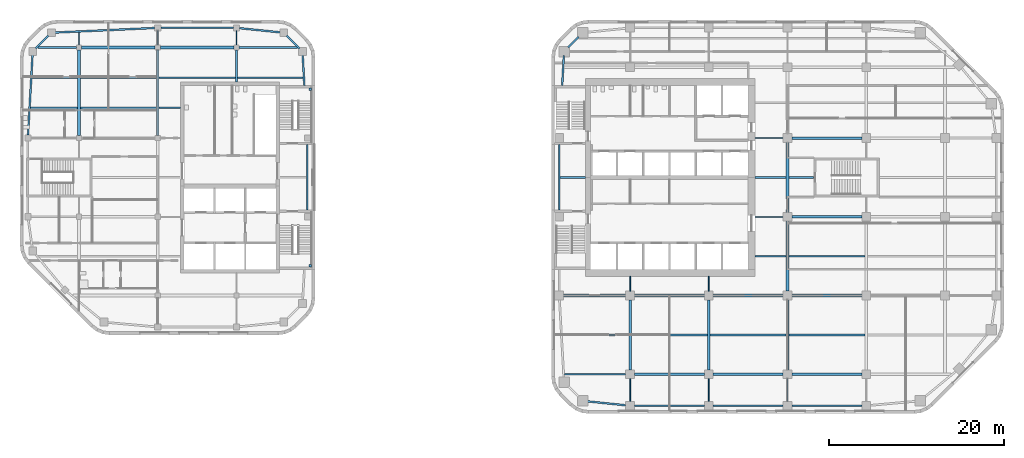
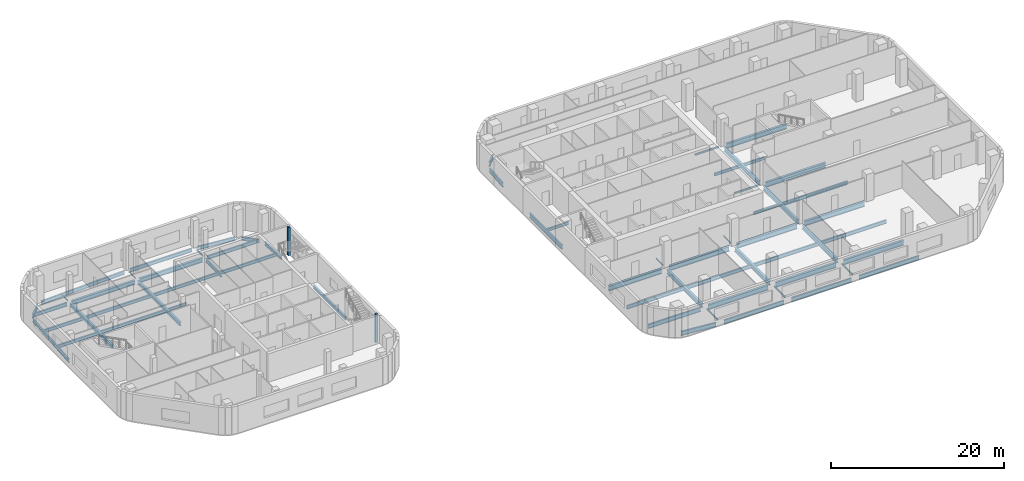
# One storey, part 2 of 14: 63 beams, 2 members.
"""IFC4 building model written with IfcOpenShell, lengths in metres."""

from ifc_helpers import new_model, si_unit, direction, frame, origin, origin_2d, place, context, subcontext, project, spatial, rectangle, i_section, extrude, material, material_profile, profile_set, type_object, element, save


model = new_model("IFC4")

# Units and contexts
model_context = context("Model", 3, precision=1e-05, world=origin(), true_north=direction((0.0, 1.0)))
body_context = subcontext(model_context, "Body", "Model", "MODEL_VIEW")
ifc_project = project(units=[si_unit("LENGTHUNIT", "METRE"), si_unit("AREAUNIT", "SQUARE_METRE"), si_unit("VOLUMEUNIT", "CUBIC_METRE"), si_unit("PLANEANGLEUNIT", "RADIAN"), si_unit("MASSUNIT", "GRAM", prefix="KILO")], contexts=[model_context])

# Site, building, storey
site_placement = place(None, origin())
site = spatial("IfcSite", under=ifc_project, at=site_placement, CompositionType="ELEMENT")
building_placement = place(site_placement, origin())
building = spatial("IfcBuilding", under=site, at=building_placement, Name="Cinnabar Reach Civic Tower", CompositionType="ELEMENT")
storey_placement = place(building_placement, frame((0.0, 0.0, 112.0)))
storey = spatial("IfcBuildingStorey", under=building, at=storey_placement, Name="L26", CompositionType="ELEMENT", Elevation=112.0)

# Beams
ifc_material_1 = material(Name="Steel Q355B", Category="steel")
ifc_material_profile_1 = material_profile(ifc_material_1, i_section(OverallWidth=0.3, OverallDepth=0.488, WebThickness=0.011, FlangeThickness=0.018, FilletRadius=0.016, at=origin_2d()), Name="HM488x300x11x18")
ifc_profile_set_1 = profile_set([ifc_material_profile_1], Name="Steel Q355B")
beam_type_1 = type_object("IfcBeamType", Name="HM488x300x11x18 beam R 120", PredefinedType="BEAM", material=ifc_profile_set_1)
for number, where, z_axis, x_axis, name in (
    (1, (-54.0, 36.302, -0.394), (0.0, 1.0, 0.0), (-1.0, 0.0, 0.0), "Girder T2 L26 4"),
    (2, (-45.0, 36.302, -0.394), (0.0, 1.0, 0.0), (-1.0, 0.0, 0.0), "Girder T2 L26 9"),
):
    element("IfcBeam", number, at=place(storey_placement, frame(where, z_axis=z_axis, x_axis=x_axis)), inside=storey, type_object=beam_type_1, Name=name, PredefinedType="BEAM", context=body_context, shape_type="SweptSolid", body=[
        extrude(i_section(OverallWidth=0.3, OverallDepth=0.488, WebThickness=0.011, FlangeThickness=0.018, FilletRadius=0.016, at=origin_2d()), origin(), (0.0, 0.0, 1.0), 9.746),
    ])
ifc_material_profile_2 = material_profile(ifc_material_1, i_section(OverallWidth=0.3, OverallDepth=0.588, WebThickness=0.012, FlangeThickness=0.02, FilletRadius=0.016, at=origin_2d()), Name="HM588x300x12x20")
ifc_profile_set_2 = profile_set([ifc_material_profile_2], Name="Steel Q355B")
beam_type_2 = type_object("IfcBeamType", Name="HM588x300x12x20 beam R 120", PredefinedType="BEAM", material=ifc_profile_set_2)
for number, where, z_axis, x_axis, name in (
    (3, (-53.698, 46.35, -0.444), (1.0, 0.0, 0.0), (0.0, 1.0, 0.0), "Girder T2 L26 11"),
    (4, (-44.698, 46.35, -0.444), (1.0, 0.0, 0.0), (0.0, 1.0, 0.0), "Girder T2 L26 12"),
):
    element("IfcBeam", number, at=place(storey_placement, frame(where, z_axis=z_axis, x_axis=x_axis)), inside=storey, type_object=beam_type_2, Name=name, PredefinedType="BEAM", context=body_context, shape_type="SweptSolid", body=[
        extrude(i_section(OverallWidth=0.3, OverallDepth=0.588, WebThickness=0.012, FlangeThickness=0.02, FilletRadius=0.016, at=origin_2d()), origin(), (0.0, 0.0, 1.0), 8.396),
    ])
ifc_material_profile_3 = material_profile(ifc_material_1, i_section(OverallWidth=0.302, OverallDepth=0.594, WebThickness=0.014, FlangeThickness=0.023, FilletRadius=0.016, at=origin_2d()), Name="HM594x302x14x23")
ifc_profile_set_3 = profile_set([ifc_material_profile_3], Name="Steel Q355B")
beam_type_3 = type_object("IfcBeamType", Name="HM594x302x14x23 beam R 180", PredefinedType="BEAM", material=ifc_profile_set_3)
for number, where, z_axis, x_axis, name in (
    (5, (9.0, 9.502, -0.447), (0.0, 1.0, 0.0), (-1.0, 0.0, 0.0), "Girder T1 L26 2"),
    (6, (18.0, 9.502, -0.447), (0.0, 1.0, 0.0), (-1.0, 0.0, 0.0), "Girder T1 L26 6"),
    (7, (27.0, 9.502, -0.447), (0.0, 1.0, 0.0), (-1.0, 0.0, 0.0), "Girder T1 L26 10"),
    (8, (27.0, 18.502, -0.447), (0.0, 1.0, 0.0), (-1.0, 0.0, 0.0), "Girder T1 L26 11"),
    (9, (27.0, 27.502, -0.447), (0.0, 1.0, 0.0), (-1.0, 0.0, 0.0), "Girder T1 L26 12"),
):
    element("IfcBeam", number, at=place(storey_placement, frame(where, z_axis=z_axis, x_axis=x_axis)), inside=storey, type_object=beam_type_3, Name=name, PredefinedType="BEAM", context=body_context, shape_type="SweptSolid", body=[
        extrude(i_section(OverallWidth=0.302, OverallDepth=0.594, WebThickness=0.014, FlangeThickness=0.023, FilletRadius=0.016, at=origin_2d()), origin(), (0.0, 0.0, 1.0), 7.996),
    ])
ifc_material_profile_4 = material_profile(ifc_material_1, i_section(OverallWidth=0.099, OverallDepth=0.198, WebThickness=0.0045, FlangeThickness=0.007, FilletRadius=0.013, at=origin_2d()), Name="HN200x100x5.5x8")
ifc_profile_set_4 = profile_set([ifc_material_profile_4], Name="Steel Q355B")
beam_type_4 = type_object("IfcBeamType", Name="HN200x100x5.5x8 beam R 120", PredefinedType="BEAM", material=ifc_profile_set_4)
beam_1_placement = place(storey_placement, frame((-54.0, 46.652, -0.249), z_axis=(0.0, 1.0, 0.0), x_axis=(-1.0, 0.0, 0.0)))
element("IfcBeam", 10, at=beam_1_placement, inside=storey, type_object=beam_type_4, Name="Girder T2 L26 5", PredefinedType="BEAM", context=body_context, shape_type="SweptSolid", body=[
    extrude(i_section(OverallWidth=0.099, OverallDepth=0.198, WebThickness=0.0045, FlangeThickness=0.007, FilletRadius=0.013, at=origin_2d()), origin(), (0.0, 0.0, 1.0), 1.4361),
])
for number, where, z_axis, x_axis, name in (
    (11, (-45.0, 46.652, -0.249), (0.0, 1.0, 0.0), (-1.0, 0.0, 0.0), "Girder T2 L26 10"),
    (12, (-36.0, 46.652, -0.249), (0.0, 1.0, 0.0), (-1.0, 0.0, 0.0), "Girder T2 L26 14"),
):
    element("IfcBeam", number, at=place(storey_placement, frame(where, z_axis=z_axis, x_axis=x_axis)), inside=storey, type_object=beam_type_4, Name=name, PredefinedType="BEAM", context=body_context, shape_type="SweptSolid", body=[
        extrude(i_section(OverallWidth=0.099, OverallDepth=0.198, WebThickness=0.0045, FlangeThickness=0.007, FilletRadius=0.013, at=origin_2d()), origin(), (0.0, 0.0, 1.0), 1.596),
    ])
ifc_material_profile_5 = material_profile(ifc_material_1, i_section(OverallWidth=0.099, OverallDepth=0.198, WebThickness=0.0045, FlangeThickness=0.007, FilletRadius=0.013, at=origin_2d()), Name="HN200x100x5.5x8")
ifc_profile_set_5 = profile_set([ifc_material_profile_5], Name="Steel Q355B")
beam_type_5 = type_object("IfcBeamType", Name="HN200x100x5.5x8 beam R 180", PredefinedType="BEAM", material=ifc_profile_set_5)
beam_2_placement = place(storey_placement, frame((9.0, 5.902, -0.249), z_axis=(0.0, 1.0, 0.0), x_axis=(-1.0, 0.0, 0.0)))
element("IfcBeam", 13, at=beam_2_placement, inside=storey, type_object=beam_type_5, Name="Girder T1 L26 1", PredefinedType="BEAM", context=body_context, shape_type="SweptSolid", body=[
    extrude(i_section(OverallWidth=0.099, OverallDepth=0.198, WebThickness=0.0045, FlangeThickness=0.007, FilletRadius=0.013, at=origin_2d()), origin(), (0.0, 0.0, 1.0), 2.596),
])
beam_3_placement = place(storey_placement, frame((9.0, 18.502, -0.249), z_axis=(0.0, 1.0, 0.0), x_axis=(-1.0, 0.0, 0.0)))
element("IfcBeam", 14, at=beam_3_placement, inside=storey, type_object=beam_type_5, Name="Girder T1 L26 3", PredefinedType="BEAM", context=body_context, shape_type="SweptSolid", body=[
    extrude(i_section(OverallWidth=0.099, OverallDepth=0.198, WebThickness=0.0045, FlangeThickness=0.007, FilletRadius=0.013, at=origin_2d()), origin(), (0.0, 0.0, 1.0), 1.696),
])
beam_4_placement = place(storey_placement, frame((18.0, 5.902, -0.249), z_axis=(0.0, 1.0, 0.0), x_axis=(-1.0, 0.0, 0.0)))
element("IfcBeam", 15, at=beam_4_placement, inside=storey, type_object=beam_type_5, Name="Girder T1 L26 5", PredefinedType="BEAM", context=body_context, shape_type="SweptSolid", body=[
    extrude(i_section(OverallWidth=0.099, OverallDepth=0.198, WebThickness=0.0045, FlangeThickness=0.007, FilletRadius=0.013, at=origin_2d()), origin(), (0.0, 0.0, 1.0), 2.596),
])
beam_5_placement = place(storey_placement, frame((18.0, 18.502, -0.249), z_axis=(0.0, 1.0, 0.0), x_axis=(-1.0, 0.0, 0.0)))
element("IfcBeam", 16, at=beam_5_placement, inside=storey, type_object=beam_type_5, Name="Girder T1 L26 7", PredefinedType="BEAM", context=body_context, shape_type="SweptSolid", body=[
    extrude(i_section(OverallWidth=0.099, OverallDepth=0.198, WebThickness=0.0045, FlangeThickness=0.007, FilletRadius=0.013, at=origin_2d()), origin(), (0.0, 0.0, 1.0), 1.696),
])
beam_6_placement = place(storey_placement, frame((27.0, 5.902, -0.249), z_axis=(0.0, 1.0, 0.0), x_axis=(-1.0, 0.0, 0.0)))
element("IfcBeam", 17, at=beam_6_placement, inside=storey, type_object=beam_type_5, Name="Girder T1 L26 9", PredefinedType="BEAM", context=body_context, shape_type="SweptSolid", body=[
    extrude(i_section(OverallWidth=0.099, OverallDepth=0.198, WebThickness=0.0045, FlangeThickness=0.007, FilletRadius=0.013, at=origin_2d()), origin(), (0.0, 0.0, 1.0), 2.596),
])
ifc_material_profile_6 = material_profile(ifc_material_1, i_section(OverallWidth=0.124, OverallDepth=0.248, WebThickness=0.005, FlangeThickness=0.008, FilletRadius=0.013, at=origin_2d()), Name="HN250x125x6x9")
ifc_profile_set_6 = profile_set([ifc_material_profile_6], Name="Steel Q355B")
beam_type_6 = type_object("IfcBeamType", Name="HN250x125x6x9 beam R 180", PredefinedType="BEAM", material=ifc_profile_set_6)
for number, where, z_axis, x_axis, name in (
    (18, (23.302, 27.0, -0.274), (1.0, 0.0, 0.0), (0.0, 1.0, 0.0), "Girder T1 L26 12"),
    (19, (23.302, 36.0, -0.274), (1.0, 0.0, 0.0), (0.0, 1.0, 0.0), "Girder T1 L26 16"),
):
    element("IfcBeam", number, at=place(storey_placement, frame(where, z_axis=z_axis, x_axis=x_axis)), inside=storey, type_object=beam_type_6, Name=name, PredefinedType="BEAM", context=body_context, shape_type="SweptSolid", body=[
        extrude(i_section(OverallWidth=0.124, OverallDepth=0.248, WebThickness=0.005, FlangeThickness=0.008, FilletRadius=0.013, at=origin_2d()), origin(), (0.0, 0.0, 1.0), 3.196),
    ])
ifc_material_profile_7 = material_profile(ifc_material_1, i_section(OverallWidth=0.175, OverallDepth=0.35, WebThickness=0.007, FlangeThickness=0.011, FilletRadius=0.013, at=origin_2d()), Name="HN350x175x7x11")
ifc_profile_set_7 = profile_set([ifc_material_profile_7], Name="Steel Q355B")
beam_type_7 = type_object("IfcBeamType", Name="HN350x175x7x11 beam R 120", PredefinedType="BEAM", material=ifc_profile_set_7)
beam_7_placement = place(storey_placement, frame((-44.848, 39.45, -0.325), z_axis=(1.0, 0.0, 0.0), x_axis=(0.0, 1.0, 0.0)))
element("IfcBeam", 20, at=beam_7_placement, inside=storey, type_object=beam_type_7, Name="Secondary beam T2 L26 9", PredefinedType="BEAM", context=body_context, shape_type="SweptSolid", body=[
    extrude(i_section(OverallWidth=0.175, OverallDepth=0.35, WebThickness=0.007, FlangeThickness=0.011, FilletRadius=0.013, at=origin_2d()), origin(), (0.0, 0.0, 1.0), 2.446),
])
ifc_material_profile_8 = material_profile(ifc_material_1, i_section(OverallWidth=0.199, OverallDepth=0.396, WebThickness=0.007, FlangeThickness=0.011, FilletRadius=0.013, at=origin_2d()), Name="HN396x199x7x11")
ifc_profile_set_8 = profile_set([ifc_material_profile_8], Name="Steel Q355B")
beam_type_8 = type_object("IfcBeamType", Name="HN396x199x7x11 beam R 180", PredefinedType="BEAM", material=ifc_profile_set_8)
beam_8_placement = place(storey_placement, frame((23.302, 22.5, -0.348), z_axis=(1.0, 0.0, 0.0), x_axis=(0.0, 1.0, 0.0)))
element("IfcBeam", 21, at=beam_8_placement, inside=storey, type_object=beam_type_8, Name="Secondary beam T1 L26 7", PredefinedType="BEAM", context=body_context, shape_type="SweptSolid", body=[
    extrude(i_section(OverallWidth=0.199, OverallDepth=0.396, WebThickness=0.007, FlangeThickness=0.011, FilletRadius=0.013, at=origin_2d()), origin(), (0.0, 0.0, 1.0), 3.545),
])
beam_9_placement = place(storey_placement, frame((1.002, 31.5, -0.348), z_axis=(1.0, 0.0, 0.0), x_axis=(0.0, 1.0, 0.0)))
element("IfcBeam", 22, at=beam_9_placement, inside=storey, type_object=beam_type_8, Name="Secondary beam T1 L26 11", PredefinedType="BEAM", context=body_context, shape_type="SweptSolid", body=[
    extrude(i_section(OverallWidth=0.199, OverallDepth=0.396, WebThickness=0.007, FlangeThickness=0.011, FilletRadius=0.013, at=origin_2d()), origin(), (0.0, 0.0, 1.0), 2.896),
])
beam_10_placement = place(storey_placement, frame((23.302, 31.5, -0.348), z_axis=(1.0, 0.0, 0.0), x_axis=(0.0, 1.0, 0.0)))
element("IfcBeam", 23, at=beam_10_placement, inside=storey, type_object=beam_type_8, Name="Secondary beam T1 L26 12", PredefinedType="BEAM", context=body_context, shape_type="SweptSolid", body=[
    extrude(i_section(OverallWidth=0.199, OverallDepth=0.396, WebThickness=0.007, FlangeThickness=0.011, FilletRadius=0.013, at=origin_2d()), origin(), (0.0, 0.0, 1.0), 3.545),
])
beam_11_placement = place(storey_placement, frame((27.153, 31.5, -0.348), z_axis=(1.0, 0.0, 0.0), x_axis=(0.0, 1.0, 0.0)))
element("IfcBeam", 24, at=beam_11_placement, inside=storey, type_object=beam_type_8, Name="Secondary beam T1 L26 13", PredefinedType="BEAM", context=body_context, shape_type="SweptSolid", body=[
    extrude(i_section(OverallWidth=0.199, OverallDepth=0.396, WebThickness=0.007, FlangeThickness=0.011, FilletRadius=0.013, at=origin_2d()), origin(), (0.0, 0.0, 1.0), 2.845),
])
ifc_material_profile_9 = material_profile(ifc_material_1, i_section(OverallWidth=0.2, OverallDepth=0.45, WebThickness=0.009, FlangeThickness=0.014, FilletRadius=0.016, at=origin_2d()), Name="HN450x200x9x14")
ifc_profile_set_9 = profile_set([ifc_material_profile_9], Name="Steel Q355B")
beam_type_9 = type_object("IfcBeamType", Name="HN450x200x9x14 beam R 120", PredefinedType="BEAM", material=ifc_profile_set_9)
beam_12_placement = place(storey_placement, frame((-59.5551, 39.45, -0.375), z_axis=(1.0, 0.0, 0.0), x_axis=(0.0, 1.0, 0.0)))
element("IfcBeam", 25, at=beam_12_placement, inside=storey, type_object=beam_type_9, Name="Secondary beam T2 L26 7", PredefinedType="BEAM", context=body_context, shape_type="SweptSolid", body=[
    extrude(i_section(OverallWidth=0.2, OverallDepth=0.45, WebThickness=0.009, FlangeThickness=0.014, FilletRadius=0.016, at=origin_2d()), origin(), (0.0, 0.0, 1.0), 5.4031),
])
beam_13_placement = place(storey_placement, frame((-53.848, 39.45, -0.375), z_axis=(1.0, 0.0, 0.0), x_axis=(0.0, 1.0, 0.0)))
element("IfcBeam", 26, at=beam_13_placement, inside=storey, type_object=beam_type_9, Name="Secondary beam T2 L26 8", PredefinedType="BEAM", context=body_context, shape_type="SweptSolid", body=[
    extrude(i_section(OverallWidth=0.2, OverallDepth=0.45, WebThickness=0.009, FlangeThickness=0.014, FilletRadius=0.016, at=origin_2d()), origin(), (0.0, 0.0, 1.0), 8.696),
])
beam_14_placement = place(storey_placement, frame((-59.3623, 42.9, -0.375), z_axis=(1.0, 0.0, 0.0), x_axis=(0.0, 1.0, 0.0)))
element("IfcBeam", 27, at=beam_14_placement, inside=storey, type_object=beam_type_9, Name="Secondary beam T2 L26 10", PredefinedType="BEAM", context=body_context, shape_type="SweptSolid", body=[
    extrude(i_section(OverallWidth=0.2, OverallDepth=0.45, WebThickness=0.009, FlangeThickness=0.014, FilletRadius=0.016, at=origin_2d()), origin(), (0.0, 0.0, 1.0), 5.2103),
])
beam_15_placement = place(storey_placement, frame((-53.848, 42.9, -0.375), z_axis=(1.0, 0.0, 0.0), x_axis=(0.0, 1.0, 0.0)))
element("IfcBeam", 28, at=beam_15_placement, inside=storey, type_object=beam_type_9, Name="Secondary beam T2 L26 11", PredefinedType="BEAM", context=body_context, shape_type="SweptSolid", body=[
    extrude(i_section(OverallWidth=0.2, OverallDepth=0.45, WebThickness=0.009, FlangeThickness=0.014, FilletRadius=0.016, at=origin_2d()), origin(), (0.0, 0.0, 1.0), 8.696),
])
beam_16_placement = place(storey_placement, frame((-44.848, 42.9, -0.375), z_axis=(1.0, 0.0, 0.0), x_axis=(0.0, 1.0, 0.0)))
element("IfcBeam", 29, at=beam_16_placement, inside=storey, type_object=beam_type_9, Name="Secondary beam T2 L26 12", PredefinedType="BEAM", context=body_context, shape_type="SweptSolid", body=[
    extrude(i_section(OverallWidth=0.2, OverallDepth=0.45, WebThickness=0.009, FlangeThickness=0.014, FilletRadius=0.016, at=origin_2d()), origin(), (0.0, 0.0, 1.0), 8.746),
])
beam_17_placement = place(storey_placement, frame((-35.898, 42.9, -0.375), z_axis=(1.0, 0.0, 0.0), x_axis=(0.0, 1.0, 0.0)))
element("IfcBeam", 30, at=beam_17_placement, inside=storey, type_object=beam_type_9, Name="Secondary beam T2 L26 13", PredefinedType="BEAM", context=body_context, shape_type="SweptSolid", body=[
    extrude(i_section(OverallWidth=0.2, OverallDepth=0.45, WebThickness=0.009, FlangeThickness=0.014, FilletRadius=0.016, at=origin_2d()), origin(), (0.0, 0.0, 1.0), 7.5103),
])
ifc_material_profile_10 = material_profile(ifc_material_1, i_section(OverallWidth=0.199, OverallDepth=0.496, WebThickness=0.009, FlangeThickness=0.014, FilletRadius=0.016, at=origin_2d()), Name="HN496x199x9x14")
ifc_profile_set_10 = profile_set([ifc_material_profile_10], Name="Steel Q355B")
beam_type_10 = type_object("IfcBeamType", Name="HN496x199x9x14 beam R 180", PredefinedType="BEAM", material=ifc_profile_set_10)
beam_18_placement = place(storey_placement, frame((1.2536, 13.5, -0.398), z_axis=(1.0, 0.0, 0.0), x_axis=(0.0, 1.0, 0.0)))
element("IfcBeam", 31, at=beam_18_placement, inside=storey, type_object=beam_type_10, Name="Secondary beam T1 L26 1", PredefinedType="BEAM", context=body_context, shape_type="SweptSolid", body=[
    extrude(i_section(OverallWidth=0.199, OverallDepth=0.496, WebThickness=0.009, FlangeThickness=0.014, FilletRadius=0.016, at=origin_2d()), origin(), (0.0, 0.0, 1.0), 7.5934),
])
for number, where, z_axis, x_axis, name in (
    (32, (9.153, 13.5, -0.398), (1.0, 0.0, 0.0), (0.0, 1.0, 0.0), "Secondary beam T1 L26 2"),
    (33, (18.153, 13.5, -0.398), (1.0, 0.0, 0.0), (0.0, 1.0, 0.0), "Secondary beam T1 L26 3"),
    (34, (27.153, 13.5, -0.398), (1.0, 0.0, 0.0), (0.0, 1.0, 0.0), "Secondary beam T1 L26 4"),
    (35, (27.153, 22.5, -0.398), (1.0, 0.0, 0.0), (0.0, 1.0, 0.0), "Secondary beam T1 L26 8"),
):
    element("IfcBeam", number, at=place(storey_placement, frame(where, z_axis=z_axis, x_axis=x_axis)), inside=storey, type_object=beam_type_10, Name=name, PredefinedType="BEAM", context=body_context, shape_type="SweptSolid", body=[
        extrude(i_section(OverallWidth=0.199, OverallDepth=0.496, WebThickness=0.009, FlangeThickness=0.014, FilletRadius=0.016, at=origin_2d()), origin(), (0.0, 0.0, 1.0), 8.694),
    ])
ifc_material_profile_11 = material_profile(ifc_material_1, i_section(OverallWidth=0.2, OverallDepth=0.5, WebThickness=0.01, FlangeThickness=0.016, FilletRadius=0.016, at=origin_2d()), Name="HN500x200x10x16")
ifc_profile_set_11 = profile_set([ifc_material_profile_11], Name="Steel Q355B")
beam_type_11 = type_object("IfcBeamType", Name="HN500x200x10x16 beam R 120", PredefinedType="BEAM", material=ifc_profile_set_11)
beam_19_placement = place(storey_placement, frame((-27.9, 27.752, -0.4), z_axis=(0.0, 1.0, 0.0), x_axis=(-1.0, 0.0, 0.0)))
element("IfcBeam", 36, at=beam_19_placement, inside=storey, type_object=beam_type_11, Name="Edge beam T2 L26 6", PredefinedType="BEAM", context=body_context, shape_type="SweptSolid", body=[
    extrude(i_section(OverallWidth=0.2, OverallDepth=0.5, WebThickness=0.01, FlangeThickness=0.016, FilletRadius=0.016, at=origin_2d()), origin(), (0.0, 0.0, 1.0), 7.496),
])
beam_20_placement = place(storey_placement, frame((-28.2354, 42.002, -0.4), z_axis=(-0.055775670196, 0.99844332569, 0.0), x_axis=(-0.99844332569, -0.055775670196, 0.0)))
element("IfcBeam", 37, at=beam_20_placement, inside=storey, type_object=beam_type_11, Name="Edge beam T2 L26 7", PredefinedType="BEAM", context=body_context, shape_type="SweptSolid", body=[
    extrude(i_section(OverallWidth=0.2, OverallDepth=0.5, WebThickness=0.01, FlangeThickness=0.016, FilletRadius=0.016, at=origin_2d()), origin(), (0.0, 0.0, 1.0), 3.5697),
])
beam_21_placement = place(storey_placement, frame((-28.7851, 46.2301, -0.4), z_axis=(-0.707106781187, 0.707106781187, 0.0), x_axis=(-0.707106781187, -0.707106781187, 0.0)))
element("IfcBeam", 38, at=beam_21_placement, inside=storey, type_object=beam_type_11, Name="Edge beam T2 L26 8", PredefinedType="BEAM", context=body_context, shape_type="SweptSolid", body=[
    extrude(i_section(OverallWidth=0.2, OverallDepth=0.5, WebThickness=0.01, FlangeThickness=0.016, FilletRadius=0.016, at=origin_2d()), origin(), (0.0, 0.0, 1.0), 2.0998),
])
beam_22_placement = place(storey_placement, frame((-30.9339, 48.0809, -0.4), z_axis=(-0.994792087401, 0.101924986363, 0.0), x_axis=(-0.101924986363, -0.994792087401, 0.0)))
element("IfcBeam", 39, at=beam_22_placement, inside=storey, type_object=beam_type_11, Name="Edge beam T2 L26 9", PredefinedType="BEAM", context=body_context, shape_type="SweptSolid", body=[
    extrude(i_section(OverallWidth=0.2, OverallDepth=0.5, WebThickness=0.01, FlangeThickness=0.016, FilletRadius=0.016, at=origin_2d()), origin(), (0.0, 0.0, 1.0), 4.7388),
])
beam_23_placement = place(storey_placement, frame((-36.352, 48.6, -0.4), z_axis=(-1.0, 0.0, 0.0), x_axis=(0.0, -1.0, 0.0)))
element("IfcBeam", 40, at=beam_23_placement, inside=storey, type_object=beam_type_11, Name="Edge beam T2 L26 10", PredefinedType="BEAM", context=body_context, shape_type="SweptSolid", body=[
    extrude(i_section(OverallWidth=0.2, OverallDepth=0.5, WebThickness=0.01, FlangeThickness=0.016, FilletRadius=0.016, at=origin_2d()), origin(), (0.0, 0.0, 1.0), 8.296),
])
beam_24_placement = place(storey_placement, frame((-45.352, 48.584, -0.4), z_axis=(-0.998964961738, -0.045486319033, 0.0), x_axis=(0.045486319033, -0.998964961738, 0.0)))
element("IfcBeam", 41, at=beam_24_placement, inside=storey, type_object=beam_type_11, Name="Edge beam T2 L26 11", PredefinedType="BEAM", context=body_context, shape_type="SweptSolid", body=[
    extrude(i_section(OverallWidth=0.2, OverallDepth=0.5, WebThickness=0.01, FlangeThickness=0.016, FilletRadius=0.016, at=origin_2d()), origin(), (0.0, 0.0, 1.0), 11.476),
])
beam_25_placement = place(storey_placement, frame((-57.4801, 47.7149, -0.4), z_axis=(-0.707106781187, -0.707106781187, 0.0), x_axis=(0.707106781187, -0.707106781187, 0.0)))
element("IfcBeam", 42, at=beam_25_placement, inside=storey, type_object=beam_type_11, Name="Edge beam T2 L26 12", PredefinedType="BEAM", context=body_context, shape_type="SweptSolid", body=[
    extrude(i_section(OverallWidth=0.2, OverallDepth=0.5, WebThickness=0.01, FlangeThickness=0.016, FilletRadius=0.016, at=origin_2d()), origin(), (0.0, 0.0, 1.0), 2.0998),
])
beam_26_placement = place(storey_placement, frame((-59.3155, 45.5661, -0.4), z_axis=(-0.055783895065, -0.998442866193, 0.0), x_axis=(0.998442866193, -0.055783895065, 0.0)))
element("IfcBeam", 43, at=beam_26_placement, inside=storey, type_object=beam_type_11, Name="Edge beam T2 L26 13", PredefinedType="BEAM", context=body_context, shape_type="SweptSolid", body=[
    extrude(i_section(OverallWidth=0.2, OverallDepth=0.5, WebThickness=0.01, FlangeThickness=0.016, FilletRadius=0.016, at=origin_2d()), origin(), (0.0, 0.0, 1.0), 9.2285),
])
beam_27_placement = place(storey_placement, frame((-58.7008, 46.35, -0.4), z_axis=(1.0, 0.0, 0.0), x_axis=(0.0, 1.0, 0.0)))
element("IfcBeam", 44, at=beam_27_placement, inside=storey, type_object=beam_type_11, Name="Girder T2 L26 10", PredefinedType="BEAM", context=body_context, shape_type="SweptSolid", body=[
    extrude(i_section(OverallWidth=0.2, OverallDepth=0.5, WebThickness=0.01, FlangeThickness=0.016, FilletRadius=0.016, at=origin_2d()), origin(), (0.0, 0.0, 1.0), 4.3988),
])
beam_28_placement = place(storey_placement, frame((-35.698, 46.35, -0.4), z_axis=(1.0, 0.0, 0.0), x_axis=(0.0, 1.0, 0.0)))
element("IfcBeam", 45, at=beam_28_placement, inside=storey, type_object=beam_type_11, Name="Girder T2 L26 13", PredefinedType="BEAM", context=body_context, shape_type="SweptSolid", body=[
    extrude(i_section(OverallWidth=0.2, OverallDepth=0.5, WebThickness=0.01, FlangeThickness=0.016, FilletRadius=0.016, at=origin_2d()), origin(), (0.0, 0.0, 1.0), 6.6488),
])
beam_29_placement = place(storey_placement, frame((-36.0, 42.402, -0.4), z_axis=(0.0, 1.0, 0.0), x_axis=(-1.0, 0.0, 0.0)))
element("IfcBeam", 46, at=beam_29_placement, inside=storey, type_object=beam_type_11, Name="Girder T2 L26 13", PredefinedType="BEAM", context=body_context, shape_type="SweptSolid", body=[
    extrude(i_section(OverallWidth=0.2, OverallDepth=0.5, WebThickness=0.01, FlangeThickness=0.016, FilletRadius=0.016, at=origin_2d()), origin(), (0.0, 0.0, 1.0), 3.646),
])
ifc_material_profile_12 = material_profile(ifc_material_1, i_section(OverallWidth=0.199, OverallDepth=0.596, WebThickness=0.01, FlangeThickness=0.015, FilletRadius=0.016, at=origin_2d()), Name="HN596x199x10x15")
ifc_profile_set_12 = profile_set([ifc_material_profile_12], Name="Steel Q355B")
beam_type_12 = type_object("IfcBeamType", Name="HN596x199x10x15 beam R 180", PredefinedType="BEAM", material=ifc_profile_set_12)
beam_30_placement = place(storey_placement, frame((1.5051, 9.0, -0.448), z_axis=(1.0, 0.0, 0.0), x_axis=(0.0, 1.0, 0.0)))
element("IfcBeam", 47, at=beam_30_placement, inside=storey, type_object=beam_type_12, Name="Girder T1 L26 1", PredefinedType="BEAM", context=body_context, shape_type="SweptSolid", body=[
    extrude(i_section(OverallWidth=0.199, OverallDepth=0.596, WebThickness=0.01, FlangeThickness=0.015, FilletRadius=0.016, at=origin_2d()), origin(), (0.0, 0.0, 1.0), 6.9929),
])
ifc_material_profile_13 = material_profile(ifc_material_1, i_section(OverallWidth=0.2, OverallDepth=0.6, WebThickness=0.011, FlangeThickness=0.017, FilletRadius=0.016, at=origin_2d()), Name="HN600x200x11x17")
ifc_profile_set_13 = profile_set([ifc_material_profile_13], Name="Steel Q355B")
beam_type_13 = type_object("IfcBeamType", Name="HN600x200x11x17 beam R 180", PredefinedType="BEAM", material=ifc_profile_set_13)
beam_31_placement = place(storey_placement, frame((4.0839, 5.9037, -0.45), z_axis=(0.994791228755, -0.101933366432, 0.0), x_axis=(0.101933366432, 0.994791228755, 0.0)))
element("IfcBeam", 48, at=beam_31_placement, inside=storey, type_object=beam_type_13, Name="Edge beam T1 L26 1", PredefinedType="BEAM", context=body_context, shape_type="SweptSolid", body=[
    extrude(i_section(OverallWidth=0.2, OverallDepth=0.6, WebThickness=0.011, FlangeThickness=0.017, FilletRadius=0.016, at=origin_2d()), origin(), (0.0, 0.0, 1.0), 4.4372),
])
for number, where, z_axis, x_axis, name in (
    (49, (9.502, 5.4, -0.45), (1.0, 0.0, 0.0), (0.0, 1.0, 0.0), "Edge beam T1 L26 2"),
    (50, (18.502, 5.4, -0.45), (1.0, 0.0, 0.0), (0.0, 1.0, 0.0), "Edge beam T1 L26 3"),
    (51, (27.502, 5.4, -0.45), (1.0, 0.0, 0.0), (0.0, 1.0, 0.0), "Edge beam T1 L26 4"),
):
    element("IfcBeam", number, at=place(storey_placement, frame(where, z_axis=z_axis, x_axis=x_axis)), inside=storey, type_object=beam_type_13, Name=name, PredefinedType="BEAM", context=body_context, shape_type="SweptSolid", body=[
        extrude(i_section(OverallWidth=0.2, OverallDepth=0.6, WebThickness=0.011, FlangeThickness=0.017, FilletRadius=0.016, at=origin_2d()), origin(), (0.0, 0.0, 1.0), 7.996),
    ])
beam_32_placement = place(storey_placement, frame((3.1199, 47.5649, -0.45), z_axis=(-0.707106781187, -0.707106781187, 0.0), x_axis=(0.707106781187, -0.707106781187, 0.0)))
element("IfcBeam", 52, at=beam_32_placement, inside=storey, type_object=beam_type_13, Name="Edge beam T1 L26 19", PredefinedType="BEAM", context=body_context, shape_type="SweptSolid", body=[
    extrude(i_section(OverallWidth=0.2, OverallDepth=0.6, WebThickness=0.011, FlangeThickness=0.017, FilletRadius=0.016, at=origin_2d()), origin(), (0.0, 0.0, 1.0), 1.6756),
])
beam_33_placement = place(storey_placement, frame((1.4262, 45.4161, -0.45), z_axis=(-0.055798816608, -0.998442032401, 0.0), x_axis=(0.998442032401, -0.055798816608, 0.0)))
element("IfcBeam", 53, at=beam_33_placement, inside=storey, type_object=beam_type_13, Name="Edge beam T1 L26 20", PredefinedType="BEAM", context=body_context, shape_type="SweptSolid", body=[
    extrude(i_section(OverallWidth=0.2, OverallDepth=0.6, WebThickness=0.011, FlangeThickness=0.017, FilletRadius=0.016, at=origin_2d()), origin(), (0.0, 0.0, 1.0), 3.4194),
])
beam_34_placement = place(storey_placement, frame((0.9, 35.248, -0.45), z_axis=(0.0, -1.0, 0.0), x_axis=(1.0, 0.0, 0.0)))
element("IfcBeam", 54, at=beam_34_placement, inside=storey, type_object=beam_type_13, Name="Edge beam T1 L26 21", PredefinedType="BEAM", context=body_context, shape_type="SweptSolid", body=[
    extrude(i_section(OverallWidth=0.2, OverallDepth=0.6, WebThickness=0.011, FlangeThickness=0.017, FilletRadius=0.016, at=origin_2d()), origin(), (0.0, 0.0, 1.0), 7.496),
])
ifc_material_profile_14 = material_profile(ifc_material_1, i_section(OverallWidth=0.3, OverallDepth=0.692, WebThickness=0.013, FlangeThickness=0.02, FilletRadius=0.016, at=origin_2d()), Name="HN692x300x13x20")
ifc_profile_set_14 = profile_set([ifc_material_profile_14], Name="Steel Q355B")
beam_type_14 = type_object("IfcBeamType", Name="HN692x300x13x20 beam R 180", PredefinedType="BEAM", material=ifc_profile_set_14)
for number, where, z_axis, x_axis, name in (
    (55, (9.502, 9.0, -0.496), (1.0, 0.0, 0.0), (0.0, 1.0, 0.0), "Girder T1 L26 2"),
    (56, (18.502, 9.0, -0.496), (1.0, 0.0, 0.0), (0.0, 1.0, 0.0), "Girder T1 L26 3"),
    (57, (27.502, 9.0, -0.496), (1.0, 0.0, 0.0), (0.0, 1.0, 0.0), "Girder T1 L26 4"),
):
    element("IfcBeam", number, at=place(storey_placement, frame(where, z_axis=z_axis, x_axis=x_axis)), inside=storey, type_object=beam_type_14, Name=name, PredefinedType="BEAM", context=body_context, shape_type="SweptSolid", body=[
        extrude(i_section(OverallWidth=0.3, OverallDepth=0.692, WebThickness=0.013, FlangeThickness=0.02, FilletRadius=0.016, at=origin_2d()), origin(), (0.0, 0.0, 1.0), 7.996),
    ])
beam_35_placement = place(storey_placement, frame((1.402, 18.0, -0.496), z_axis=(1.0, 0.0, 0.0), x_axis=(0.0, 1.0, 0.0)))
element("IfcBeam", 58, at=beam_35_placement, inside=storey, type_object=beam_type_14, Name="Girder T1 L26 6", PredefinedType="BEAM", context=body_context, shape_type="SweptSolid", body=[
    extrude(i_section(OverallWidth=0.3, OverallDepth=0.692, WebThickness=0.013, FlangeThickness=0.02, FilletRadius=0.016, at=origin_2d()), origin(), (0.0, 0.0, 1.0), 7.096),
])
for number, where, z_axis, x_axis, name in (
    (59, (9.502, 18.0, -0.496), (1.0, 0.0, 0.0), (0.0, 1.0, 0.0), "Girder T1 L26 7"),
    (60, (18.502, 18.0, -0.496), (1.0, 0.0, 0.0), (0.0, 1.0, 0.0), "Girder T1 L26 8"),
    (61, (27.502, 18.0, -0.496), (1.0, 0.0, 0.0), (0.0, 1.0, 0.0), "Girder T1 L26 9"),
    (62, (27.502, 27.0, -0.496), (1.0, 0.0, 0.0), (0.0, 1.0, 0.0), "Girder T1 L26 13"),
    (63, (27.502, 36.0, -0.496), (1.0, 0.0, 0.0), (0.0, 1.0, 0.0), "Girder T1 L26 17"),
):
    element("IfcBeam", number, at=place(storey_placement, frame(where, z_axis=z_axis, x_axis=x_axis)), inside=storey, type_object=beam_type_14, Name=name, PredefinedType="BEAM", context=body_context, shape_type="SweptSolid", body=[
        extrude(i_section(OverallWidth=0.3, OverallDepth=0.692, WebThickness=0.013, FlangeThickness=0.02, FilletRadius=0.016, at=origin_2d()), origin(), (0.0, 0.0, 1.0), 7.996),
    ])

# Members
ifc_material_2 = material(Name="Concrete C40", Category="concrete")
ifc_material_profile_15 = material_profile(ifc_material_2, rectangle(XDim=0.3, YDim=0.3, at=origin_2d()), Name="C300")
ifc_profile_set_15 = profile_set([ifc_material_profile_15], Name="Concrete C40")
member_type = type_object("IfcMemberType", Name="T2 stair post 300", PredefinedType="STRUT", material=ifc_profile_set_15)
for number, where, z_axis, x_axis, name in (
    (64, (-27.55, 21.4, 0.0), (0.0, 0.0, 1.0), (1.0, 0.0, 0.0), "Stair post 1"),
    (65, (-27.55, 41.6, 0.0), (0.0, 0.0, 1.0), (1.0, 0.0, 0.0), "Stair post 2"),
):
    element("IfcMember", number, at=place(storey_placement, frame(where, z_axis=z_axis, x_axis=x_axis)), inside=storey, type_object=member_type, Name=name, PredefinedType="STRUT", context=body_context, shape_type="SweptSolid", body=[
        extrude(rectangle(XDim=0.3, YDim=0.3, at=origin_2d()), origin(), (0.0, 0.0, 1.0), 4.0),
    ])

save(model, "model.ifc")
